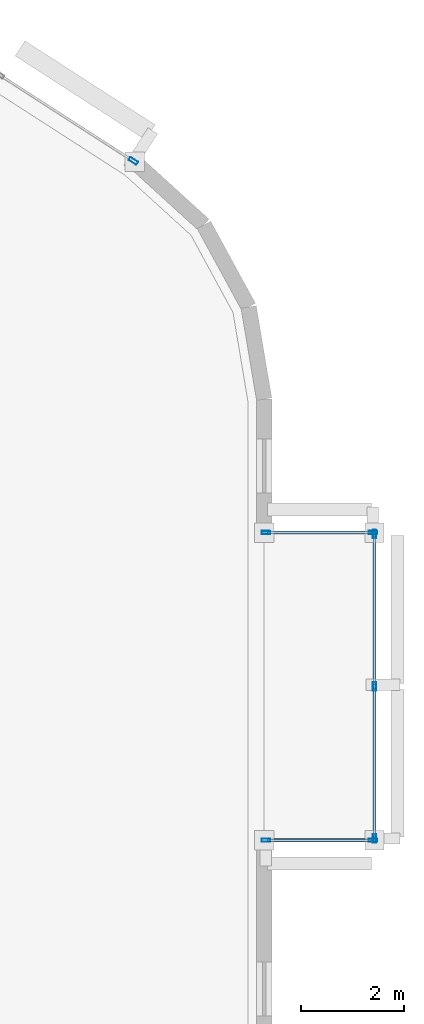
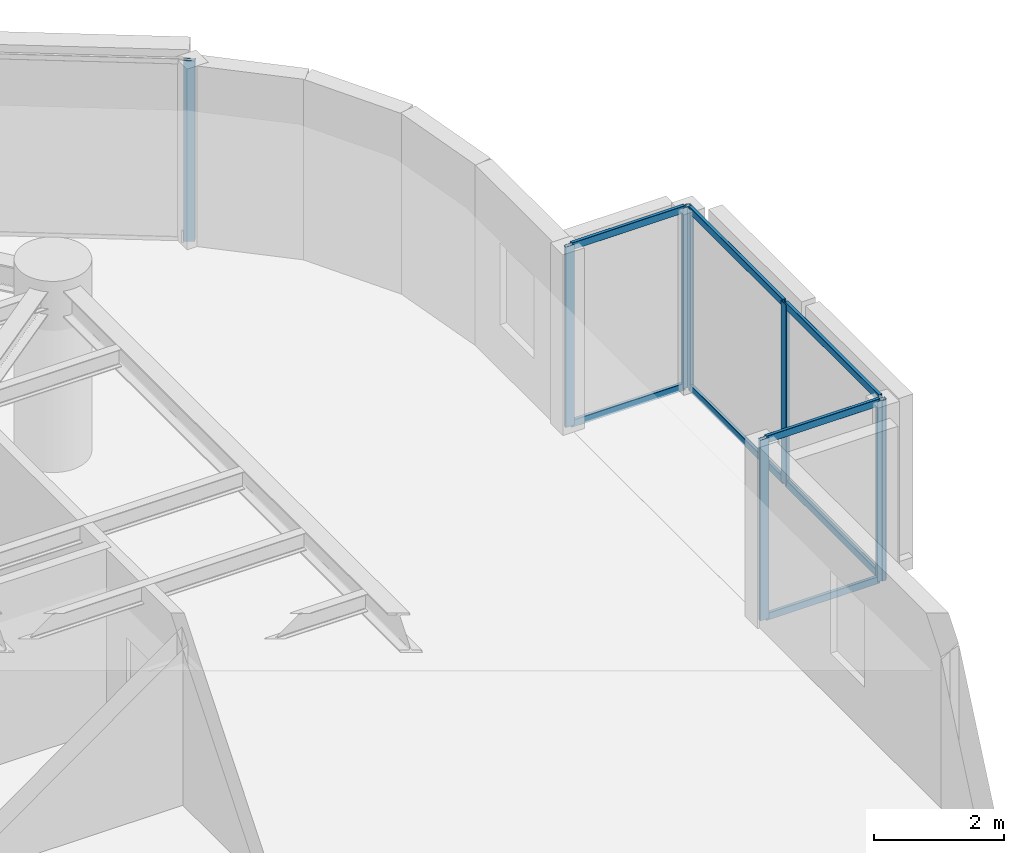
# One storey, part 4 of 12: 16 members, 4 elements without a shape of their own.
"""IFC4 building model written with IfcOpenShell, lengths in metres."""

from ifc_helpers import new_model, si_unit, direction, frame, origin, origin_2d, place, context, subcontext, project, spatial, hollow_rectangle, extrude, material, layer, layer_set, material_profile, profile_set, type_object, element, aggregate, save


model = new_model("IFC4")

# Units and contexts
model_context = context("Model", 3, precision=1e-05, world=origin(), true_north=direction((0.0, 1.0)))
body_context = subcontext(model_context, "Body", "Model", "MODEL_VIEW")
ifc_project = project(units=[si_unit("LENGTHUNIT", "METRE"), si_unit("AREAUNIT", "SQUARE_METRE"), si_unit("VOLUMEUNIT", "CUBIC_METRE"), si_unit("PLANEANGLEUNIT", "RADIAN"), si_unit("MASSUNIT", "GRAM", prefix="KILO")], contexts=[model_context])

# Site, building, storey
site_placement = place(None, origin())
site = spatial("IfcSite", under=ifc_project, at=site_placement, CompositionType="ELEMENT")
building_placement = place(site_placement, origin())
building = spatial("IfcBuilding", under=site, at=building_placement, Name="An Khanh Terracotta Commons", CompositionType="ELEMENT")
storey_placement = place(building_placement, frame((0.0, 0.0, 161.800048828125)))
storey = spatial("IfcBuildingStorey", under=building, at=storey_placement, Name="L42", CompositionType="ELEMENT", Elevation=161.800048828125)

# Curtain wall, members
ifc_material = material(Name="Anodised Aluminium 6063-T6", Category="aluminium")
ifc_layer_1 = layer(ifc_material, 0.239990234375, Name="Anodised Aluminium 6063-T6")
ifc_layer_set_1 = layer_set([ifc_layer_1], Name="Anodised Aluminium 6063-T6")
curtain_wall_type_1 = type_object("IfcCurtainWallType", Name="CW-SYS-04", PredefinedType="USERDEFINED", material=ifc_layer_set_1)
curtain_wall_1_placement = place(storey_placement, origin())
curtain_wall_1 = element("IfcCurtainWall", 1, at=curtain_wall_1_placement, inside=storey, type_object=curtain_wall_type_1, Name="L42 CW-04 Unitised Curtain Wall CW-L42-EBOX-1", ObjectType="UNITISED CURTAIN WALL", PredefinedType="USERDEFINED")
ifc_material_profile_1 = material_profile(ifc_material, hollow_rectangle(XDim=0.06494140625, YDim=0.1650390625, WallThickness=0.00390625, InnerFilletRadius=0.00390625, OuterFilletRadius=0.008056640625, at=origin_2d()), Name="RHS165x65x4")
ifc_profile_set_1 = profile_set([ifc_material_profile_1], Name="Anodised Aluminium 6063-T6")
member_type_1 = type_object("IfcMemberType", Name="CWM-RHS165x65x4", PredefinedType="MULLION", material=ifc_profile_set_1)
member_1_placement = place(storey_placement, frame((65.14990234375, 22.632568359375, 0.0), z_axis=(0.0, 0.0, 1.0), x_axis=(-1.0, 0.0, 0.0)))
member_1 = element("IfcMember", 2, at=member_1_placement, type_object=member_type_1, Name="CW-04 mullion 1", PredefinedType="MULLION", context=body_context, shape_type="SweptSolid", body=[
    extrude(hollow_rectangle(XDim=0.06494140625, YDim=0.1650390625, WallThickness=0.00390625, InnerFilletRadius=0.00390625, OuterFilletRadius=0.008056640625, at=origin_2d()), origin(), (0.0, 0.0, 1.0), 3.39990234375),
])
member_2_placement = place(storey_placement, frame((65.14990234375, 25.60009765625, 0.0), z_axis=(0.0, 0.0, 1.0), x_axis=(-1.0, 0.0, 0.0)))
member_2 = element("IfcMember", 3, at=member_2_placement, type_object=member_type_1, Name="CW-04 mullion 2", PredefinedType="MULLION", context=body_context, shape_type="SweptSolid", body=[
    extrude(hollow_rectangle(XDim=0.06494140625, YDim=0.1650390625, WallThickness=0.00390625, InnerFilletRadius=0.00390625, OuterFilletRadius=0.008056640625, at=origin_2d()), origin(), (0.0, 0.0, 1.0), 3.39990234375),
])
member_3_placement = place(storey_placement, frame((65.14990234375, 28.5673828125, 0.0), z_axis=(0.0, 0.0, 1.0), x_axis=(-1.0, 0.0, 0.0)))
member_3 = element("IfcMember", 4, at=member_3_placement, type_object=member_type_1, Name="CW-04 mullion 3", PredefinedType="MULLION", context=body_context, shape_type="SweptSolid", body=[
    extrude(hollow_rectangle(XDim=0.06494140625, YDim=0.1650390625, WallThickness=0.00390625, InnerFilletRadius=0.00390625, OuterFilletRadius=0.008056640625, at=origin_2d()), origin(), (0.0, 0.0, 1.0), 3.39990234375),
])

curtain_wall_2_placement = place(storey_placement, origin())
curtain_wall_2 = element("IfcCurtainWall", 5, at=curtain_wall_2_placement, inside=storey, type_object=curtain_wall_type_1, Name="L42 CW-04 Unitised Curtain Wall CW-L42-EBOX-2", ObjectType="UNITISED CURTAIN WALL", PredefinedType="USERDEFINED")
member_4_placement = place(storey_placement, frame((63.032470703125, 22.60009765625, 0.0), z_axis=(0.0, 0.0, 1.0), x_axis=(0.0, 1.0, 0.0)))
member_4 = element("IfcMember", 6, at=member_4_placement, type_object=member_type_1, Name="CW-04 mullion 1", PredefinedType="MULLION", context=body_context, shape_type="SweptSolid", body=[
    extrude(hollow_rectangle(XDim=0.06494140625, YDim=0.1650390625, WallThickness=0.00390625, InnerFilletRadius=0.00390625, OuterFilletRadius=0.008056640625, at=origin_2d()), origin(), (0.0, 0.0, 1.0), 3.39990234375),
])
member_5_placement = place(storey_placement, frame((65.117431640625, 22.60009765625, 0.0), z_axis=(0.0, 0.0, 1.0), x_axis=(0.0, 1.0, 0.0)))
member_5 = element("IfcMember", 7, at=member_5_placement, type_object=member_type_1, Name="CW-04 mullion 2", PredefinedType="MULLION", context=body_context, shape_type="SweptSolid", body=[
    extrude(hollow_rectangle(XDim=0.06494140625, YDim=0.1650390625, WallThickness=0.00390625, InnerFilletRadius=0.00390625, OuterFilletRadius=0.008056640625, at=origin_2d()), origin(), (0.0, 0.0, 1.0), 3.39990234375),
])

curtain_wall_3_placement = place(storey_placement, origin())
curtain_wall_3 = element("IfcCurtainWall", 8, at=curtain_wall_3_placement, inside=storey, type_object=curtain_wall_type_1, Name="L42 CW-04 Unitised Curtain Wall CW-L42-EBOX-3", ObjectType="UNITISED CURTAIN WALL", PredefinedType="USERDEFINED")
member_6_placement = place(storey_placement, frame((65.117431640625, 28.60009765625, 0.0), z_axis=(0.0, 0.0, 1.0), x_axis=(0.0, -1.0, 0.0)))
member_6 = element("IfcMember", 9, at=member_6_placement, type_object=member_type_1, Name="CW-04 mullion 1", PredefinedType="MULLION", context=body_context, shape_type="SweptSolid", body=[
    extrude(hollow_rectangle(XDim=0.06494140625, YDim=0.1650390625, WallThickness=0.00390625, InnerFilletRadius=0.00390625, OuterFilletRadius=0.008056640625, at=origin_2d()), origin(), (0.0, 0.0, 1.0), 3.39990234375),
])
member_7_placement = place(storey_placement, frame((63.032470703125, 28.60009765625, 0.0), z_axis=(0.0, 0.0, 1.0), x_axis=(0.0, -1.0, 0.0)))
member_7 = element("IfcMember", 10, at=member_7_placement, type_object=member_type_1, Name="CW-04 mullion 2", PredefinedType="MULLION", context=body_context, shape_type="SweptSolid", body=[
    extrude(hollow_rectangle(XDim=0.06494140625, YDim=0.1650390625, WallThickness=0.00390625, InnerFilletRadius=0.00390625, OuterFilletRadius=0.008056640625, at=origin_2d()), origin(), (0.0, 0.0, 1.0), 3.39990234375),
])

# Curtain wall, member
ifc_layer_2 = layer(ifc_material, 0.2099609375, Name="Anodised Aluminium 6063-T6")
ifc_layer_set_2 = layer_set([ifc_layer_2], Name="Anodised Aluminium 6063-T6")
curtain_wall_type_2 = type_object("IfcCurtainWallType", Name="CW-SYS-03", PredefinedType="USERDEFINED", material=ifc_layer_set_2)
curtain_wall_4_placement = place(storey_placement, origin())
curtain_wall_4 = element("IfcCurtainWall", 11, at=curtain_wall_4_placement, inside=storey, type_object=curtain_wall_type_2, Name="L42 CW-03 Unitised Curtain Wall CW-L42-16", ObjectType="UNITISED CURTAIN WALL", PredefinedType="USERDEFINED")
ifc_material_profile_2 = material_profile(ifc_material, hollow_rectangle(XDim=0.070068359375, YDim=0.179931640625, WallThickness=0.00390625, InnerFilletRadius=0.00390625, OuterFilletRadius=0.008056640625, at=origin_2d()), Name="RHS180x70x4")
ifc_profile_set_2 = profile_set([ifc_material_profile_2], Name="Anodised Aluminium 6063-T6")
member_type_2 = type_object("IfcMemberType", Name="CWM-RHS180x70x4", PredefinedType="MULLION", material=ifc_profile_set_2)
member_8_placement = place(storey_placement, frame((60.448486328125, 35.843017578125, 0.0), z_axis=(0.0, 0.0, 1.0), x_axis=(-0.541497931062, -0.840702081986, 0.0)))
member_8 = element("IfcMember", 12, at=member_8_placement, type_object=member_type_2, Name="CW-03 mullion 1", PredefinedType="MULLION", context=body_context, shape_type="SweptSolid", body=[
    extrude(hollow_rectangle(XDim=0.070068359375, YDim=0.179931640625, WallThickness=0.00390625, InnerFilletRadius=0.00390625, OuterFilletRadius=0.008056640625, at=origin_2d()), origin(), (0.0, 0.0, 1.0), 3.39990234375),
])
aggregate(curtain_wall_4, [member_8])

# Member
ifc_material_profile_3 = material_profile(ifc_material, hollow_rectangle(XDim=0.06005859375, YDim=0.135009765625, WallThickness=0.003662109375, InnerFilletRadius=0.003662109375, OuterFilletRadius=0.007080078125, at=origin_2d()), Name="RHS135x60x3.6")
ifc_profile_set_3 = profile_set([ifc_material_profile_3], Name="Anodised Aluminium 6063-T6")
member_type_3 = type_object("IfcMemberType", Name="CWT-RHS135x60x3.6", PredefinedType="USERDEFINED", material=ifc_profile_set_3)
member_9_placement = place(storey_placement, frame((65.14990234375, 22.6650390625, 0.030029296875), z_axis=(0.0, 1.0, 0.0), x_axis=(-1.0, 0.0, 0.0)))
member_9 = element("IfcMember", 13, at=member_9_placement, type_object=member_type_3, Name="CW-04 transom 1.1", ObjectType="TRANSOM", PredefinedType="USERDEFINED", context=body_context, shape_type="SweptSolid", body=[
    extrude(hollow_rectangle(XDim=0.06005859375, YDim=0.135009765625, WallThickness=0.003662109375, InnerFilletRadius=0.003662109375, OuterFilletRadius=0.007080078125, at=origin_2d()), origin(), (0.0, 0.0, 1.0), 2.90234375),
])

member_10_placement = place(storey_placement, frame((65.14990234375, 22.6650390625, 3.369873046875), z_axis=(0.0, 1.0, 0.0), x_axis=(-1.0, 0.0, 0.0)))
member_10 = element("IfcMember", 14, at=member_10_placement, type_object=member_type_3, Name="CW-04 transom 1.2", ObjectType="TRANSOM", PredefinedType="USERDEFINED", context=body_context, shape_type="SweptSolid", body=[
    extrude(hollow_rectangle(XDim=0.06005859375, YDim=0.135009765625, WallThickness=0.003662109375, InnerFilletRadius=0.003662109375, OuterFilletRadius=0.007080078125, at=origin_2d()), origin(), (0.0, 0.0, 1.0), 2.90234375),
])

member_11_placement = place(storey_placement, frame((65.14990234375, 25.632568359375, 0.030029296875), z_axis=(0.0, 1.0, 0.0), x_axis=(-1.0, 0.0, 0.0)))
member_11 = element("IfcMember", 15, at=member_11_placement, type_object=member_type_3, Name="CW-04 transom 2.1", ObjectType="TRANSOM", PredefinedType="USERDEFINED", context=body_context, shape_type="SweptSolid", body=[
    extrude(hollow_rectangle(XDim=0.06005859375, YDim=0.135009765625, WallThickness=0.003662109375, InnerFilletRadius=0.003662109375, OuterFilletRadius=0.007080078125, at=origin_2d()), origin(), (0.0, 0.0, 1.0), 2.90234375),
])

member_12_placement = place(storey_placement, frame((65.14990234375, 25.632568359375, 3.369873046875), z_axis=(0.0, 1.0, 0.0), x_axis=(-1.0, 0.0, 0.0)))
member_12 = element("IfcMember", 16, at=member_12_placement, type_object=member_type_3, Name="CW-04 transom 2.2", ObjectType="TRANSOM", PredefinedType="USERDEFINED", context=body_context, shape_type="SweptSolid", body=[
    extrude(hollow_rectangle(XDim=0.06005859375, YDim=0.135009765625, WallThickness=0.003662109375, InnerFilletRadius=0.003662109375, OuterFilletRadius=0.007080078125, at=origin_2d()), origin(), (0.0, 0.0, 1.0), 2.90234375),
])

aggregate(curtain_wall_1, [member_1, member_2, member_3, member_9, member_10, member_11, member_12])

member_13_placement = place(storey_placement, frame((63.06494140625, 22.60009765625, 0.030029296875), z_axis=(1.0, 0.0, 0.0), x_axis=(0.0, 1.0, 0.0)))
member_13 = element("IfcMember", 17, at=member_13_placement, type_object=member_type_3, Name="CW-04 transom 1.1", ObjectType="TRANSOM", PredefinedType="USERDEFINED", context=body_context, shape_type="SweptSolid", body=[
    extrude(hollow_rectangle(XDim=0.06005859375, YDim=0.135009765625, WallThickness=0.003662109375, InnerFilletRadius=0.003662109375, OuterFilletRadius=0.007080078125, at=origin_2d()), origin(), (0.0, 0.0, 1.0), 2.02001953125),
])

member_14_placement = place(storey_placement, frame((63.06494140625, 22.60009765625, 3.369873046875), z_axis=(1.0, 0.0, 0.0), x_axis=(0.0, 1.0, 0.0)))
member_14 = element("IfcMember", 18, at=member_14_placement, type_object=member_type_3, Name="CW-04 transom 1.2", ObjectType="TRANSOM", PredefinedType="USERDEFINED", context=body_context, shape_type="SweptSolid", body=[
    extrude(hollow_rectangle(XDim=0.06005859375, YDim=0.135009765625, WallThickness=0.003662109375, InnerFilletRadius=0.003662109375, OuterFilletRadius=0.007080078125, at=origin_2d()), origin(), (0.0, 0.0, 1.0), 2.02001953125),
])

aggregate(curtain_wall_2, [member_4, member_5, member_13, member_14])

member_15_placement = place(storey_placement, frame((65.0849609375, 28.60009765625, 0.030029296875), z_axis=(-1.0, 0.0, 0.0), x_axis=(0.0, -1.0, 0.0)))
member_15 = element("IfcMember", 19, at=member_15_placement, type_object=member_type_3, Name="CW-04 transom 1.1", ObjectType="TRANSOM", PredefinedType="USERDEFINED", context=body_context, shape_type="SweptSolid", body=[
    extrude(hollow_rectangle(XDim=0.06005859375, YDim=0.135009765625, WallThickness=0.003662109375, InnerFilletRadius=0.003662109375, OuterFilletRadius=0.007080078125, at=origin_2d()), origin(), (0.0, 0.0, 1.0), 2.02001953125),
])

member_16_placement = place(storey_placement, frame((65.0849609375, 28.60009765625, 3.369873046875), z_axis=(-1.0, 0.0, 0.0), x_axis=(0.0, -1.0, 0.0)))
member_16 = element("IfcMember", 20, at=member_16_placement, type_object=member_type_3, Name="CW-04 transom 1.2", ObjectType="TRANSOM", PredefinedType="USERDEFINED", context=body_context, shape_type="SweptSolid", body=[
    extrude(hollow_rectangle(XDim=0.06005859375, YDim=0.135009765625, WallThickness=0.003662109375, InnerFilletRadius=0.003662109375, OuterFilletRadius=0.007080078125, at=origin_2d()), origin(), (0.0, 0.0, 1.0), 2.02001953125),
])

aggregate(curtain_wall_3, [member_6, member_7, member_15, member_16])

save(model, "model.ifc")
